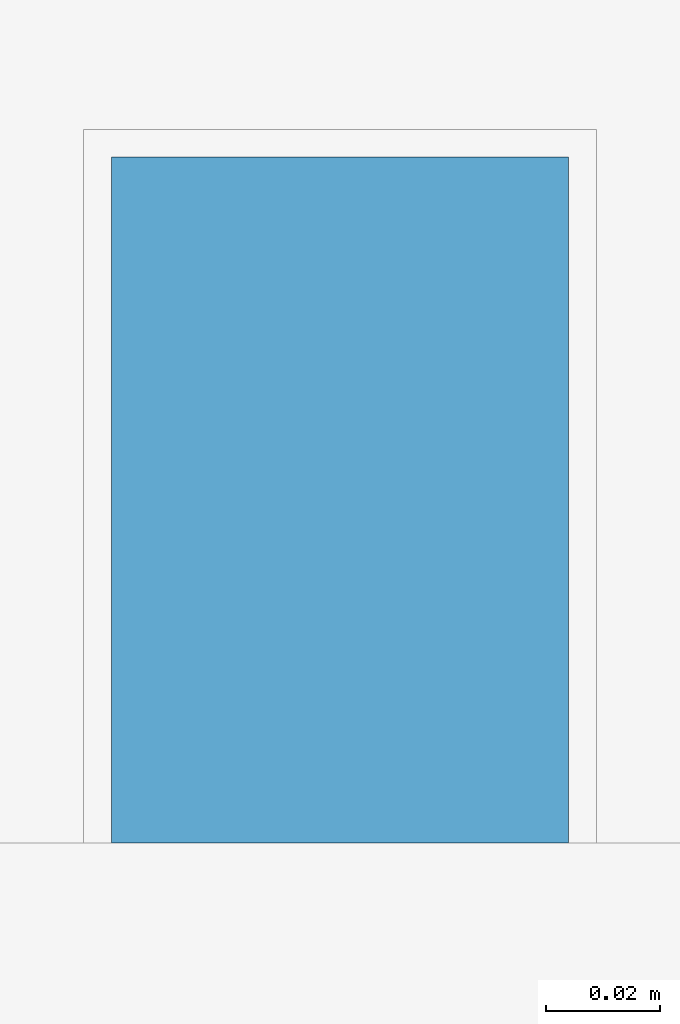
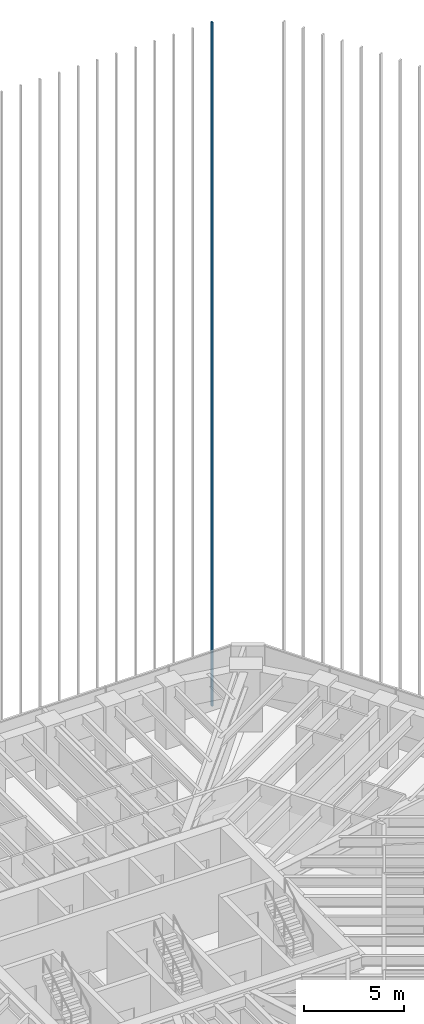
# One storey, part 110 of 127: 1 member, 1 element without a shape of its own.
"""IFC4 building model written with IfcOpenShell, lengths in metres."""

import ifcopenshell
import ifcopenshell.guid

model = None  # the IFC model being written
_history = None  # IfcOwnerHistory: only IFC2X3 demands one
_inside = {}  # id of a spatial element -> (the spatial element, [elements in it])
_under = {}  # id of a project, library or spatial element -> (it, [spatial elements below it])
_declared = {}  # id of a project -> (the project, [libraries it declares])
_typed = {}  # id of a type object -> (the type object, [elements of that type])
_made_of = {}  # id of a material, layer set ... -> (it, [elements and type objects made of it])


def new_model(schema):
    """Start an empty IFC model of exactly this schema.

    Asked for "IFC4X3", IfcOpenShell would pick the latest addendum, in which some entities
    have other attributes; the version numbers below select the first issue.
    IFC2X3 requires an IfcOwnerHistory on every rooted entity: one is made here for all.
    """
    global model, _history
    if schema == "IFC4X3":
        model = ifcopenshell.file(schema_version=(4, 3, 0, 0))
    else:
        model = ifcopenshell.file(schema=schema)
    _inside.clear()
    _under.clear()
    _declared.clear()
    _typed.clear()
    _made_of.clear()
    _history = None
    if model.schema == "IFC2X3":
        org = make("IfcOrganization", Name="unknown")
        user = make(
            "IfcPersonAndOrganization",
            ThePerson=make("IfcPerson", FamilyName="unknown"),
            TheOrganization=org,
        )
        app = make(
            "IfcApplication",
            ApplicationDeveloper=org,
            Version="unknown",
            ApplicationFullName="unknown",
            ApplicationIdentifier="unknown",
        )
        _history = make(
            "IfcOwnerHistory",
            OwningUser=user,
            OwningApplication=app,
            ChangeAction="ADDED",
            CreationDate=0,
        )
    return model


def make(cls, **values):
    """One entity of the class cls with the attributes given. An attribute that is None is left unset."""
    return model.create_entity(
        cls, **{name: value for name, value in values.items() if value is not None}
    )


def rooted(cls, **values):
    """An entity with a GlobalId (a new one), such as an element, a storey or a relation."""
    return make(cls, GlobalId=ifcopenshell.guid.new(), OwnerHistory=_history, **values)


def si_unit(unit_type, name, prefix=None):
    """IfcSIUnit, for example si_unit("LENGTHUNIT", "METRE", prefix="MILLI")."""
    return make("IfcSIUnit", UnitType=unit_type, Prefix=prefix, Name=name)


def assignment(units):
    """IfcUnitAssignment: the units of a project."""
    return None if units is None else make("IfcUnitAssignment", Units=units)


def point(xyz):
    """IfcCartesianPoint."""
    return None if xyz is None else make("IfcCartesianPoint", Coordinates=xyz)


def direction(xyz):
    """IfcDirection."""
    return None if xyz is None else make("IfcDirection", DirectionRatios=xyz)


def frame(location, z_axis=None, x_axis=None):
    """IfcAxis2Placement3D, a coordinate frame: its origin and axes. An axis left out is left unset."""
    return make(
        "IfcAxis2Placement3D",
        Location=point(location),
        Axis=direction(z_axis),
        RefDirection=direction(x_axis),
    )


def frame_2d(location, x_axis=None):
    """IfcAxis2Placement2D, a coordinate frame in the plane: its origin and x axis."""
    return make(
        "IfcAxis2Placement2D", Location=point(location), RefDirection=direction(x_axis)
    )


def origin():
    """The frame at (0, 0, 0) with its axes left unset."""
    return frame((0.0, 0.0, 0.0))


def origin_2d():
    """The frame at (0, 0) in the plane with its x axis left unset."""
    return frame_2d((0.0, 0.0))


def place(relative_to, where):
    """IfcLocalPlacement: puts the frame where relative to a parent placement (None: the world)."""
    return make(
        "IfcLocalPlacement", PlacementRelTo=relative_to, RelativePlacement=where
    )


def context(
    kind, dimensions, precision=None, world=None, true_north=None, identifier=None
):
    """IfcGeometricRepresentationContext, for example the 3D "Model" context."""
    return make(
        "IfcGeometricRepresentationContext",
        ContextIdentifier=identifier,
        ContextType=kind,
        CoordinateSpaceDimension=dimensions,
        Precision=precision,
        WorldCoordinateSystem=world,
        TrueNorth=true_north,
    )


def subcontext(parent, identifier, kind, view, scale=None):
    """IfcGeometricRepresentationSubContext, for example "Body" below "Model"."""
    return make(
        "IfcGeometricRepresentationSubContext",
        ContextIdentifier=identifier,
        ContextType=kind,
        ParentContext=parent,
        TargetScale=scale,
        TargetView=view,
    )


def project(units=None, contexts=None):
    """IfcProject with its units and contexts."""
    return rooted(
        "IfcProject",
        Name="project",
        RepresentationContexts=contexts,
        UnitsInContext=assignment(units),
    )


def spatial(cls, under=None, at=None, **own):
    """A site, building, storey or space (cls), placed at a placement, below another one or the project."""
    s = rooted(cls, ObjectPlacement=at, **own)
    if under is not None:
        _under.setdefault(under.id(), (under, []))[1].append(s)
    return s


def profile(cls, at=None, kind="AREA", **sizes):
    """A parametric profile (cls). Its sizes go by their IFC names, for example OverallWidth=200.0."""
    return make(cls, ProfileType=kind, Position=at, **sizes)


def rectangle(**sizes):
    """IfcRectangleProfileDef."""
    return profile("IfcRectangleProfileDef", **sizes)


def extrude(swept, where, along, depth):
    """IfcExtrudedAreaSolid: the profile swept, set in the frame where, extruded along a direction by depth."""
    return make(
        "IfcExtrudedAreaSolid",
        SweptArea=swept,
        Position=where,
        ExtrudedDirection=direction(along),
        Depth=depth,
    )


def shape(context_of_items, identifier, shape_type, items):
    """IfcShapeRepresentation: the items that make up one representation, for example the "Body"."""
    return make(
        "IfcShapeRepresentation",
        ContextOfItems=context_of_items,
        RepresentationIdentifier=identifier,
        RepresentationType=shape_type,
        Items=items,
    )


def material(Name=None, Category=None):
    """IfcMaterial."""
    return make("IfcMaterial", Name=Name, Category=Category)


def material_profile(
    of_material, cross_section, Name=None, Category=None, Priority=None
):
    """IfcMaterialProfile: a cross section and its material."""
    return make(
        "IfcMaterialProfile",
        Name=Name,
        Material=of_material,
        Profile=cross_section,
        Priority=Priority,
        Category=Category,
    )


def profile_set(profiles, Name=None, composite=None):
    """IfcMaterialProfileSet."""
    return make(
        "IfcMaterialProfileSet",
        Name=Name,
        MaterialProfiles=profiles,
        CompositeProfile=composite,
    )


def made_of(thing, what):
    """Note that an element or type object is made of a material, layer set ...; save() writes the relation."""
    if what is not None:
        _made_of.setdefault(what.id(), (what, []))[1].append(thing)
    return thing


def type_object(cls, material=None, **own):
    """A type object (cls), such as IfcWallType, which elements share."""
    return made_of(rooted(cls, **own), material)


def element(
    cls,
    number,
    at=None,
    inside=None,
    cuts=None,
    type_object=None,
    material=None,
    context=None,
    identifier="Body",
    shape_type=None,
    held_by="IfcProductDefinitionShape",
    body=None,
    shapes=None,
    **own,
):
    """One element of the class cls, such as IfcWall. Its Tag is "e" and its number.

    at: its placement. inside: the storey or other place that contains it. cuts: it is an
    opening in that element (IfcRelVoidsElement). A single representation is given by context,
    identifier, shape_type and body (its items); several are given by shapes. held_by: the class
    of the entity that holds the representations. save() writes the other relations.
    """
    e = rooted(cls, Tag="e%d" % number, ObjectPlacement=at, **own)
    if body is not None:
        shapes = [shape(context, identifier, shape_type, body)]
    if shapes is not None:
        e.Representation = make(held_by, Representations=shapes)
    if inside is not None:
        _inside.setdefault(inside.id(), (inside, []))[1].append(e)
    if cuts is not None:
        rooted(
            "IfcRelVoidsElement", RelatingBuildingElement=cuts, RelatedOpeningElement=e
        )
    if type_object is not None:
        _typed.setdefault(type_object.id(), (type_object, []))[1].append(e)
    return made_of(e, material)


def aggregate(whole, parts):
    """IfcRelAggregates: a whole, such as a stair, and the parts it consists of."""
    return rooted("IfcRelAggregates", RelatingObject=whole, RelatedObjects=parts)


def save(model, path):
    """Write the relations noted so far, then the file.

    IfcRelAggregates (storeys below a building ...), IfcRelContainedInSpatialStructure (elements
    in a storey), IfcRelDefinesByType, IfcRelAssociatesMaterial and IfcRelDeclares: one each for
    every whole, place, type object, material and project.
    """
    for whole, parts in _under.values():
        aggregate(whole, parts)
    for where, things in _inside.values():
        rooted(
            "IfcRelContainedInSpatialStructure",
            RelatedElements=things,
            RelatingStructure=where,
        )
    for kind, things in _typed.values():
        rooted("IfcRelDefinesByType", RelatedObjects=things, RelatingType=kind)
    for what, things in _made_of.values():
        rooted("IfcRelAssociatesMaterial", RelatedObjects=things, RelatingMaterial=what)
    for by, libraries in _declared.values():
        rooted("IfcRelDeclares", RelatingContext=by, RelatedDefinitions=libraries)
    model.write(path)


model = new_model("IFC4")

# Units and contexts
model_context = context("Model", 3, precision=1e-05, world=origin(), true_north=direction((0.0, 1.0)))
body_context = subcontext(model_context, "Body", "Model", "MODEL_VIEW")
ifc_project = project(units=[si_unit("LENGTHUNIT", "METRE"), si_unit("AREAUNIT", "SQUARE_METRE"), si_unit("VOLUMEUNIT", "CUBIC_METRE"), si_unit("PLANEANGLEUNIT", "RADIAN"), si_unit("MASSUNIT", "GRAM", prefix="KILO")], contexts=[model_context])

# Site, building, storey
site_placement = place(None, origin())
site = spatial("IfcSite", under=ifc_project, at=site_placement, CompositionType="ELEMENT")
building_placement = place(site_placement, origin())
building = spatial("IfcBuilding", under=site, at=building_placement, Name="Sandreach Pilgrim Tower", CompositionType="ELEMENT")
storey_placement = place(building_placement, frame((0.0, 0.0, 257.0)))
storey = spatial("IfcBuildingStorey", under=building, at=storey_placement, Name="L64", CompositionType="ELEMENT", Elevation=257.0)

# Curtain wall, member
ifc_material_1 = material(Name="Aluminium framed curtain wall", Category="aluminium")
curtain_wall_type = type_object("IfcCurtainWallType", Name="Suite tower curtain wall", PredefinedType="NOTDEFINED", material=ifc_material_1)
curtain_wall_placement = place(storey_placement, origin())
curtain_wall = element("IfcCurtainWall", 1, at=curtain_wall_placement, inside=storey, type_object=curtain_wall_type, Name="CW-4 L64 N", PredefinedType="NOTDEFINED")
ifc_material_2 = material(Name="Extruded terracotta on aluminium core", Category="masonry")
ifc_material_profile = material_profile(ifc_material_2, rectangle(XDim=0.080078125, YDim=0.1201171875, at=origin_2d()), Name="TBN 80X120")
ifc_profile_set = profile_set([ifc_material_profile], Name="Extruded terracotta on aluminium core")
member_type = type_object("IfcMemberType", Name="Terracotta baguette north", PredefinedType="USERDEFINED", material=ifc_profile_set)
member_placement = place(storey_placement, frame((15.40576171875, 20.1865234375, 0.0), z_axis=(0.0, 0.0, 1.0), x_axis=(1.0, 0.0, 0.0)))
member = element("IfcMember", 2, at=member_placement, type_object=member_type, Name="Baguette Z4 N29", ObjectType="BAGUETTE", PredefinedType="USERDEFINED", context=body_context, shape_type="SweptSolid", body=[
    extrude(rectangle(XDim=0.080078125, YDim=0.1201171875, at=origin_2d()), origin(), (0.0, 0.0, 1.0), 41.639892578125),
])
aggregate(curtain_wall, [member])

save(model, "model.ifc")
